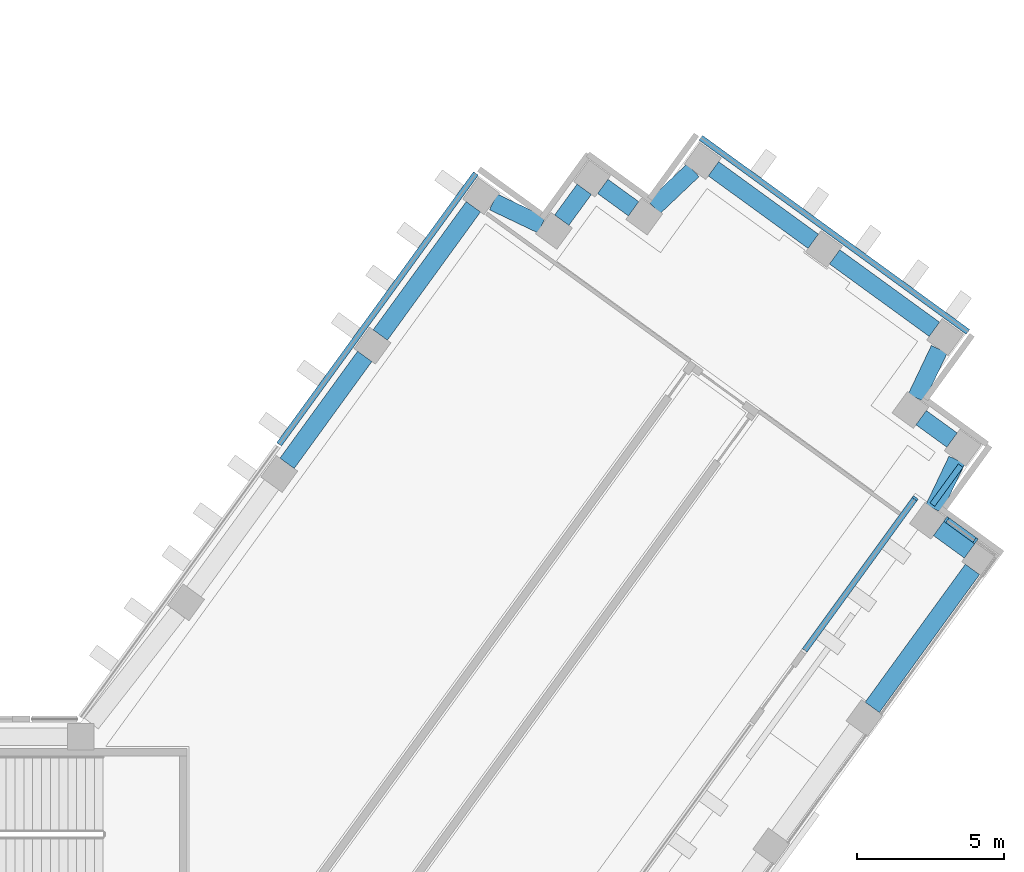
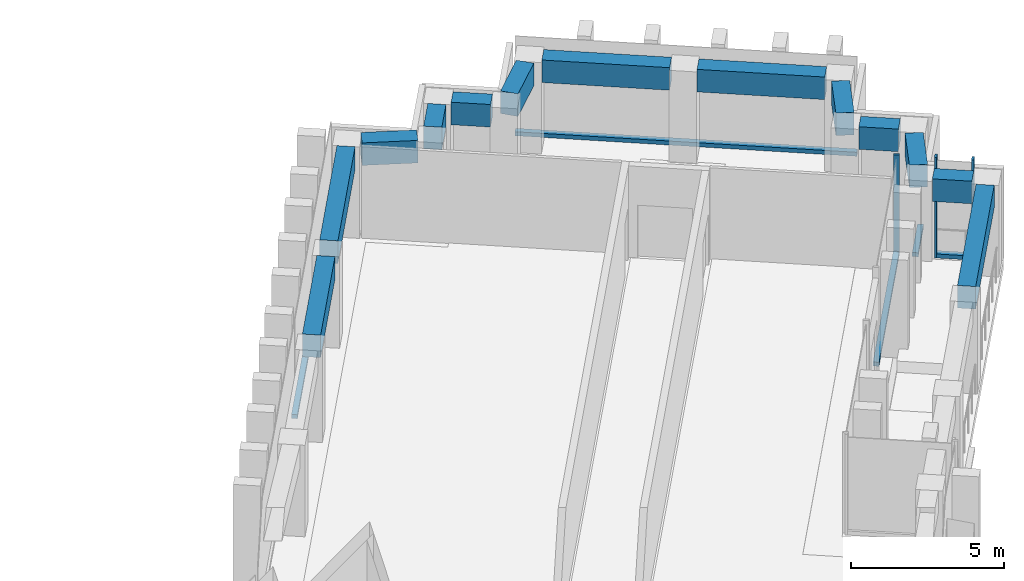
"""IFC4 building model written with IfcOpenShell, lengths in metres."""

from ifc_helpers import new_model, si_unit, direction, frame, origin, origin_2d, place, context, subcontext, project, spatial, rectangle, extrude, material, material_profile, profile_set, type_object, element, aggregate, save


model = new_model("IFC4")

# Units and contexts
model_context = context("Model", 3, precision=1e-05, world=origin(), true_north=direction((0.0, 1.0)))
body_context = subcontext(model_context, "Body", "Model", "MODEL_VIEW")
ifc_project = project(units=[si_unit("LENGTHUNIT", "METRE"), si_unit("AREAUNIT", "SQUARE_METRE"), si_unit("VOLUMEUNIT", "CUBIC_METRE"), si_unit("PLANEANGLEUNIT", "RADIAN"), si_unit("MASSUNIT", "GRAM", prefix="KILO")], contexts=[model_context])

# Site, building, storey
site_placement = place(None, origin())
site = spatial("IfcSite", under=ifc_project, at=site_placement, CompositionType="ELEMENT")
building_placement = place(site_placement, origin())
building = spatial("IfcBuilding", under=site, at=building_placement, Name="Quipu Civic Tower", CompositionType="ELEMENT")
storey_1_placement = place(building_placement, frame((0.0, 0.0, 93.0)))
storey_1 = spatial("IfcBuildingStorey", under=building, at=storey_1_placement, Name="L21", CompositionType="ELEMENT", Elevation=93.0)

# Curtain wall, member
ifc_material_1 = material(Name="Insulated glass unit", Category="glass")
curtain_wall_type = type_object("IfcCurtainWallType", Name="Office curtain wall CW1", PredefinedType="NOTDEFINED", material=ifc_material_1)
curtain_wall_1_placement = place(storey_1_placement, origin())
curtain_wall_1 = element("IfcCurtainWall", 1, at=curtain_wall_1_placement, inside=storey_1, type_object=curtain_wall_type, Name="Office curtain wall CW1 L21 run 5", PredefinedType="NOTDEFINED")
ifc_material_2 = material(Name="Anodised aluminium", Category="aluminium")
ifc_material_profile_1 = material_profile(ifc_material_2, rectangle(XDim=0.199951171875, YDim=0.080078125, at=origin_2d()), Name="RECT 200x80")
ifc_profile_set_1 = profile_set([ifc_material_profile_1], Name="Anodised aluminium")
member_type_1 = type_object("IfcMemberType", Name="Mullion CW1", PredefinedType="MULLION", material=ifc_profile_set_1)
member_1_placement = place(storey_1_placement, frame((42.7958984375, 18.6162109375, 0.080078125), z_axis=(0.0, 0.0, 1.0), x_axis=(-0.8090179163, 0.587783983369, 0.0)))
member_1 = element("IfcMember", 2, at=member_1_placement, type_object=member_type_1, Name="CW1 mullion 2", PredefinedType="MULLION", context=body_context, shape_type="SweptSolid", body=[
    extrude(rectangle(XDim=0.199951171875, YDim=0.080078125, at=origin_2d()), origin(), (0.0, 0.0, 1.0), 4.0),
])

# Curtain wall, members
curtain_wall_2_placement = place(storey_1_placement, origin())
curtain_wall_2 = element("IfcCurtainWall", 3, at=curtain_wall_2_placement, inside=storey_1, type_object=curtain_wall_type, Name="Office curtain wall CW1 L21 run 7", PredefinedType="NOTDEFINED")
member_2_placement = place(storey_1_placement, frame((43.86279296875, 17.890625, 0.080078125), z_axis=(0.0, 0.0, 1.0), x_axis=(0.587810377692, 0.808998739108, 0.0)))
member_2 = element("IfcMember", 4, at=member_2_placement, type_object=member_type_1, Name="CW1 mullion 1", PredefinedType="MULLION", context=body_context, shape_type="SweptSolid", body=[
    extrude(rectangle(XDim=0.199951171875, YDim=0.080078125, at=origin_2d()), origin(), (0.0, 0.0, 1.0), 4.0),
])
member_3_placement = place(storey_1_placement, frame((44.849853515625, 17.17333984375, 0.080078125), z_axis=(0.0, 0.0, 1.0), x_axis=(0.587810377692, 0.808998739108, 0.0)))
member_3 = element("IfcMember", 5, at=member_3_placement, type_object=member_type_1, Name="CW1 mullion 2", PredefinedType="MULLION", context=body_context, shape_type="SweptSolid", body=[
    extrude(rectangle(XDim=0.199951171875, YDim=0.080078125, at=origin_2d()), origin(), (0.0, 0.0, 1.0), 4.0),
])

# Beams
ifc_material_3 = material(Name="Concrete C50/60", Category="concrete")
ifc_material_profile_2 = material_profile(ifc_material_3, rectangle(XDim=0.60009765625, YDim=0.89990234375, at=origin_2d()), Name="RC600x900")
ifc_profile_set_2 = profile_set([ifc_material_profile_2], Name="Concrete C50/60")
beam_type = type_object("IfcBeamType", Name="Spandrel beam RC 600x900 C50/60", PredefinedType="SPANDREL", material=ifc_profile_set_2)
beam_1_placement = place(storey_1_placement, frame((41.3349609375, 11.50146484375, 3.199951171875), z_axis=(0.587766353983, 0.809030724463, 0.0), x_axis=(-0.809030724463, 0.587766353983, 0.0)))
element("IfcBeam", 6, at=beam_1_placement, inside=storey_1, type_object=beam_type, Name="Spandrel beam L21 E-OUT-04 to T-Eo.0-E34", PredefinedType="SPANDREL", context=body_context, shape_type="SweptSolid", body=[
    extrude(rectangle(XDim=0.60009765625, YDim=0.89990234375, at=origin_2d()), origin(), (0.0, 0.0, 1.0), 5.802734375),
])
beam_2_placement = place(storey_1_placement, frame((44.646240234375, 16.82470703125, 3.199951171875), z_axis=(-0.808524921146, 0.588461937499, 0.0), x_axis=(-0.588461937499, -0.808524921146, 0.0)))
element("IfcBeam", 7, at=beam_2_placement, inside=storey_1, type_object=beam_type, Name="Spandrel beam L21 T-Eo.0-E34 to T-Eo.1-E34", PredefinedType="SPANDREL", context=body_context, shape_type="SweptSolid", body=[
    extrude(rectangle(XDim=0.60009765625, YDim=0.89990234375, at=origin_2d()), origin(), (0.0, 0.0, 1.0), 1.30029296875),
])
beam_3_placement = place(storey_1_placement, frame((43.42822265625, 18.267578125, 3.199951171875), z_axis=(0.430677818234, 0.902505743406, 0.0), x_axis=(-0.902505743406, 0.430677818234, 0.0)))
element("IfcBeam", 8, at=beam_3_placement, inside=storey_1, type_object=beam_type, Name="Spandrel beam L21 T-Eo.1-E34 to T-Eo.2-E34", PredefinedType="SPANDREL", context=body_context, shape_type="SweptSolid", body=[
    extrude(rectangle(XDim=0.60009765625, YDim=0.89990234375, at=origin_2d()), origin(), (0.0, 0.0, 1.0), 1.833251953125),
])
beam_4_placement = place(storey_1_placement, frame((44.05078125, 20.59912109375, 3.199951171875), z_axis=(-0.809393823939, 0.587266240959, 0.0), x_axis=(-0.587266240959, -0.809393823939, 0.0)))
element("IfcBeam", 9, at=beam_4_placement, inside=storey_1, type_object=beam_type, Name="Spandrel beam L21 T-Eo.2-E34 to T-Eo.3-E34", PredefinedType="SPANDREL", context=body_context, shape_type="SweptSolid", body=[
    extrude(rectangle(XDim=0.60009765625, YDim=0.89990234375, at=origin_2d()), origin(), (0.0, 0.0, 1.0), 1.299072265625),
])
beam_5_placement = place(storey_1_placement, frame((42.83154296875, 22.03955078125, 3.199951171875), z_axis=(0.429892146977, 0.902880247856, 0.0), x_axis=(-0.902880247856, 0.429892146977, 0.0)))
element("IfcBeam", 10, at=beam_5_placement, inside=storey_1, type_object=beam_type, Name="Spandrel beam L21 T-Eo.3-E34 to T-Eo.4-E34", PredefinedType="SPANDREL", context=body_context, shape_type="SweptSolid", body=[
    extrude(rectangle(XDim=0.60009765625, YDim=0.89990234375, at=origin_2d()), origin(), (0.0, 0.0, 1.0), 1.829833984375),
])
beam_6_placement = place(storey_1_placement, frame((43.450927734375, 24.36962890625, 3.199951171875), z_axis=(-0.808987489375, 0.587825860298, 0.0), x_axis=(-0.587825860298, -0.808987489375, 0.0)))
element("IfcBeam", 11, at=beam_6_placement, inside=storey_1, type_object=beam_type, Name="Spandrel beam L21 T-Eo.4-E34 to TIP-E-01-E34", PredefinedType="SPANDREL", context=body_context, shape_type="SweptSolid", body=[
    extrude(rectangle(XDim=0.60009765625, YDim=0.89990234375, at=origin_2d()), origin(), (0.0, 0.0, 1.0), 4.1982421875),
])
beam_7_placement = place(storey_1_placement, frame((39.32666015625, 27.366455078125, 3.199951171875), z_axis=(-0.808969789945, 0.58785021813, 0.0), x_axis=(-0.58785021813, -0.808969789945, 0.0)))
element("IfcBeam", 12, at=beam_7_placement, inside=storey_1, type_object=beam_type, Name="Spandrel beam L21 TIP-E-01-E34 to T-Ei.0-E34", PredefinedType="SPANDREL", context=body_context, shape_type="SweptSolid", body=[
    extrude(rectangle(XDim=0.60009765625, YDim=0.89990234375, at=origin_2d()), origin(), (0.0, 0.0, 1.0), 4.199951171875),
])
beam_8_placement = place(storey_1_placement, frame((35.233154296875, 29.784912109375, 3.199951171875), z_axis=(-0.725209203815, -0.688528583795, 0.0), x_axis=(0.688528583795, -0.725209203815, 0.0)))
element("IfcBeam", 13, at=beam_8_placement, inside=storey_1, type_object=beam_type, Name="Spandrel beam L21 T-Ei.0-E34 to T-Ei.1-E34", PredefinedType="SPANDREL", context=body_context, shape_type="SweptSolid", body=[
    extrude(rectangle(XDim=0.60009765625, YDim=0.89990234375, at=origin_2d()), origin(), (0.0, 0.0, 1.0), 1.830322265625),
])
beam_9_placement = place(storey_1_placement, frame((33.209716796875, 28.4736328125, 3.199951171875), z_axis=(-0.809402563526, 0.587254195521, 0.0), x_axis=(-0.587254195521, -0.809402563526, 0.0)))
element("IfcBeam", 14, at=beam_9_placement, inside=storey_1, type_object=beam_type, Name="Spandrel beam L21 T-Ei.1-E34 to T-Ei.2-E34", PredefinedType="SPANDREL", context=body_context, shape_type="SweptSolid", body=[
    extrude(rectangle(XDim=0.60009765625, YDim=0.89990234375, at=origin_2d()), origin(), (0.0, 0.0, 1.0), 1.2978515625),
])
beam_10_placement = place(storey_1_placement, frame((31.52978515625, 29.136474609375, 3.199951171875), z_axis=(-0.589187485143, -0.80799635355, 0.0), x_axis=(0.80799635355, -0.589187485143, 0.0)))
element("IfcBeam", 15, at=beam_10_placement, inside=storey_1, type_object=beam_type, Name="Spandrel beam L21 T-Ei.2-E34 to T-Ei.3-E34", PredefinedType="SPANDREL", context=body_context, shape_type="SweptSolid", body=[
    extrude(rectangle(XDim=0.60009765625, YDim=0.89990234375, at=origin_2d()), origin(), (0.0, 0.0, 1.0), 1.2998046875),
])
beam_11_placement = place(storey_1_placement, frame((30.085693359375, 27.919677734375, 3.199951171875), z_axis=(-0.902567013751, 0.430549399823, 0.0), x_axis=(-0.430549399823, -0.902567013751, 0.0)))
element("IfcBeam", 16, at=beam_11_placement, inside=storey_1, type_object=beam_type, Name="Spandrel beam L21 T-Ei.3-E34 to T-Ei.4-E34", PredefinedType="SPANDREL", context=body_context, shape_type="SweptSolid", body=[
    extrude(rectangle(XDim=0.60009765625, YDim=0.89990234375, at=origin_2d()), origin(), (0.0, 0.0, 1.0), 1.8310546875),
])
beam_12_placement = place(storey_1_placement, frame((27.755615234375, 28.541015625, 3.199951171875), z_axis=(-0.58767640123, -0.809096068114, 0.0), x_axis=(0.809096068114, -0.58767640123, 0.0)))
element("IfcBeam", 17, at=beam_12_placement, inside=storey_1, type_object=beam_type, Name="Spandrel beam L21 T-Ei.4-E34 to E-IN-03", PredefinedType="SPANDREL", context=body_context, shape_type="SweptSolid", body=[
    extrude(rectangle(XDim=0.60009765625, YDim=0.89990234375, at=origin_2d()), origin(), (0.0, 0.0, 1.0), 5.39404296875),
])
beam_13_placement = place(storey_1_placement, frame((24.056884765625, 23.448486328125, 3.199951171875), z_axis=(-0.587778073121, -0.809022210299, 0.0), x_axis=(0.809022210299, -0.587778073121, 0.0)))
element("IfcBeam", 18, at=beam_13_placement, inside=storey_1, type_object=beam_type, Name="Spandrel beam L21 E-IN-03 to E-IN-02", PredefinedType="SPANDREL", context=body_context, shape_type="SweptSolid", body=[
    extrude(rectangle(XDim=0.60009765625, YDim=0.89990234375, at=origin_2d()), origin(), (0.0, 0.0, 1.0), 4.5),
])

# Storey
storey_2_placement = place(building_placement, frame((0.0, 0.0, 89.0)))
storey_2 = spatial("IfcBuildingStorey", under=building, at=storey_2_placement, Name="L20", CompositionType="ELEMENT", Elevation=89.0)

# Curtain wall, member
curtain_wall_3_placement = place(storey_2_placement, origin())
curtain_wall_3 = element("IfcCurtainWall", 19, at=curtain_wall_3_placement, inside=storey_2, type_object=curtain_wall_type, Name="Office curtain wall CW1 L20 run 6", PredefinedType="NOTDEFINED")
ifc_material_4 = material(Name="Anodised aluminium", Category="aluminium")
ifc_material_profile_3 = material_profile(ifc_material_4, rectangle(XDim=0.199951171875, YDim=0.159912109375, at=origin_2d()), Name="RECT 200x160")
ifc_profile_set_3 = profile_set([ifc_material_profile_3], Name="Anodised aluminium")
member_type_2 = type_object("IfcMemberType", Name="Transom CW1", PredefinedType="USERDEFINED", material=ifc_profile_set_3)
member_4_placement = place(storey_1_placement, frame((43.381103515625, 18.400634765625, 0.0), z_axis=(0.587826986079, 0.80898667136, 0.0), x_axis=(-0.80898667136, 0.587826986079, 0.0)))
member_4 = element("IfcMember", 20, at=member_4_placement, inside=storey_1, type_object=member_type_2, Name="CW1 transom 1.2", ObjectType="TRANSOM", PredefinedType="USERDEFINED", context=body_context, shape_type="SweptSolid", body=[
    extrude(rectangle(XDim=0.199951171875, YDim=0.159912109375, at=origin_2d()), origin(), (0.0, 0.0, 1.0), 1.642578125),
])
aggregate(curtain_wall_3, [member_4])

curtain_wall_4_placement = place(storey_2_placement, origin())
curtain_wall_4 = element("IfcCurtainWall", 21, at=curtain_wall_4_placement, inside=storey_2, type_object=curtain_wall_type, Name="Office curtain wall CW1 L19 run 6", PredefinedType="NOTDEFINED")
member_5_placement = place(storey_1_placement, frame((44.590087890625, 24.2841796875, 0.080078125), z_axis=(-0.809014959561, 0.587788052963, 0.0), x_axis=(-0.587788052963, -0.809014959561, 0.0)))
member_5 = element("IfcMember", 22, at=member_5_placement, inside=storey_1, type_object=member_type_2, Name="CW1 transom 1.3", ObjectType="TRANSOM", PredefinedType="USERDEFINED", context=body_context, shape_type="SweptSolid", body=[
    extrude(rectangle(XDim=0.199951171875, YDim=0.159912109375, at=origin_2d()), origin(), (0.0, 0.0, 1.0), 11.239990234375),
])
aggregate(curtain_wall_4, [member_5])

curtain_wall_5_placement = place(storey_2_placement, origin())
curtain_wall_5 = element("IfcCurtainWall", 23, at=curtain_wall_5_placement, inside=storey_2, type_object=curtain_wall_type, Name="Office curtain wall CW1 L19 run 11", PredefinedType="NOTDEFINED")
member_6_placement = place(storey_1_placement, frame((27.84228515625, 29.678466796875, 0.080078125), z_axis=(-0.587775682251, -0.809023947331, 0.0), x_axis=(0.809023947331, -0.587775682251, 0.0)))
member_6 = element("IfcMember", 24, at=member_6_placement, inside=storey_1, type_object=member_type_2, Name="CW1 transom 1.3", ObjectType="TRANSOM", PredefinedType="USERDEFINED", context=body_context, shape_type="SweptSolid", body=[
    extrude(rectangle(XDim=0.199951171875, YDim=0.159912109375, at=origin_2d()), origin(), (0.0, 0.0, 1.0), 11.402099609375),
])
aggregate(curtain_wall_5, [member_6])

# Member
member_7_placement = place(storey_1_placement, frame((39.034912109375, 13.439453125, 0.159912109375), z_axis=(0.587767557609, 0.809029850019, 0.0), x_axis=(-0.809029850019, 0.587767557609, 0.0)))
member_7 = element("IfcMember", 25, at=member_7_placement, type_object=member_type_2, Name="CW1 transom 1.1", ObjectType="TRANSOM", PredefinedType="USERDEFINED", context=body_context, shape_type="SweptSolid", body=[
    extrude(rectangle(XDim=0.199951171875, YDim=0.159912109375, at=origin_2d()), origin(), (0.0, 0.0, 1.0), 6.35888671875),
])

aggregate(curtain_wall_1, [member_1, member_7])

member_8_placement = place(storey_1_placement, frame((43.89501953125, 17.8671875, 0.159912109375), z_axis=(0.808976702535, -0.587840705256, 0.0), x_axis=(0.587840705256, 0.808976702535, 0.0)))
member_8 = element("IfcMember", 26, at=member_8_placement, type_object=member_type_2, Name="CW1 transom 1.1", ObjectType="TRANSOM", PredefinedType="USERDEFINED", context=body_context, shape_type="SweptSolid", body=[
    extrude(rectangle(XDim=0.199951171875, YDim=0.159912109375, at=origin_2d()), origin(), (0.0, 0.0, 1.0), 1.140380859375),
])

aggregate(curtain_wall_2, [member_2, member_3, member_8])

save(model, "model.ifc")
